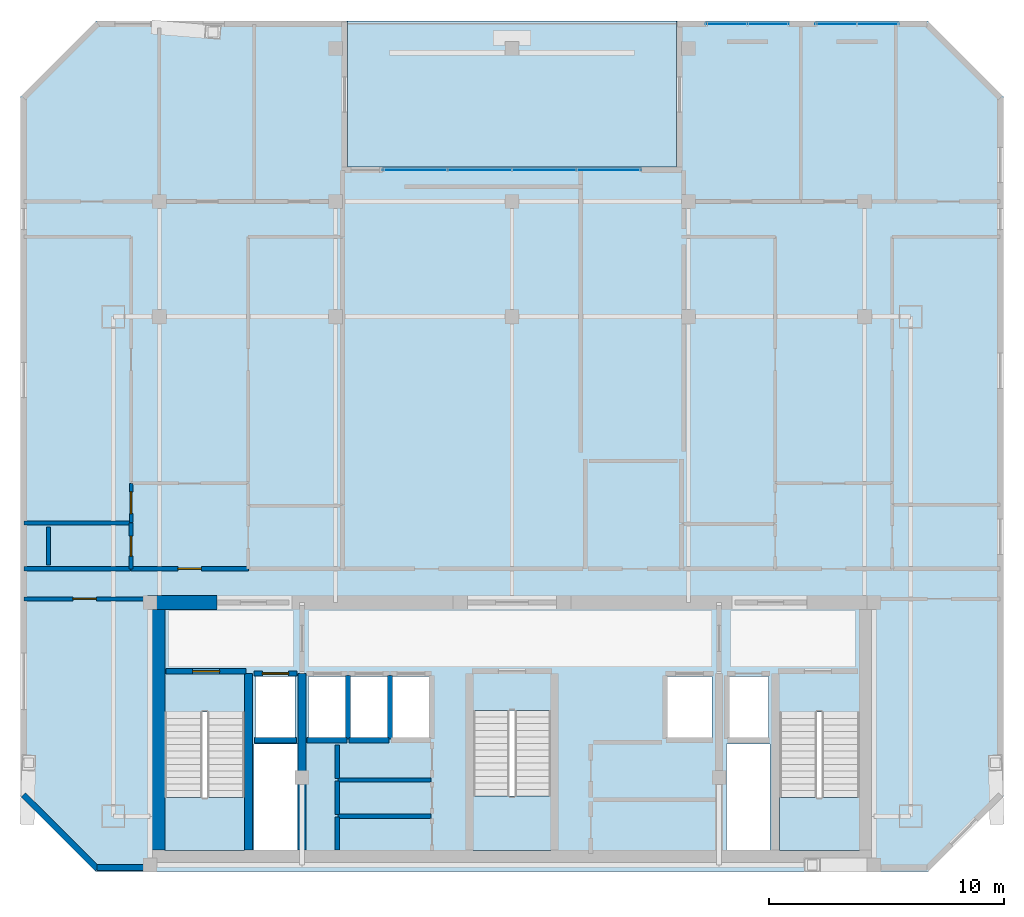
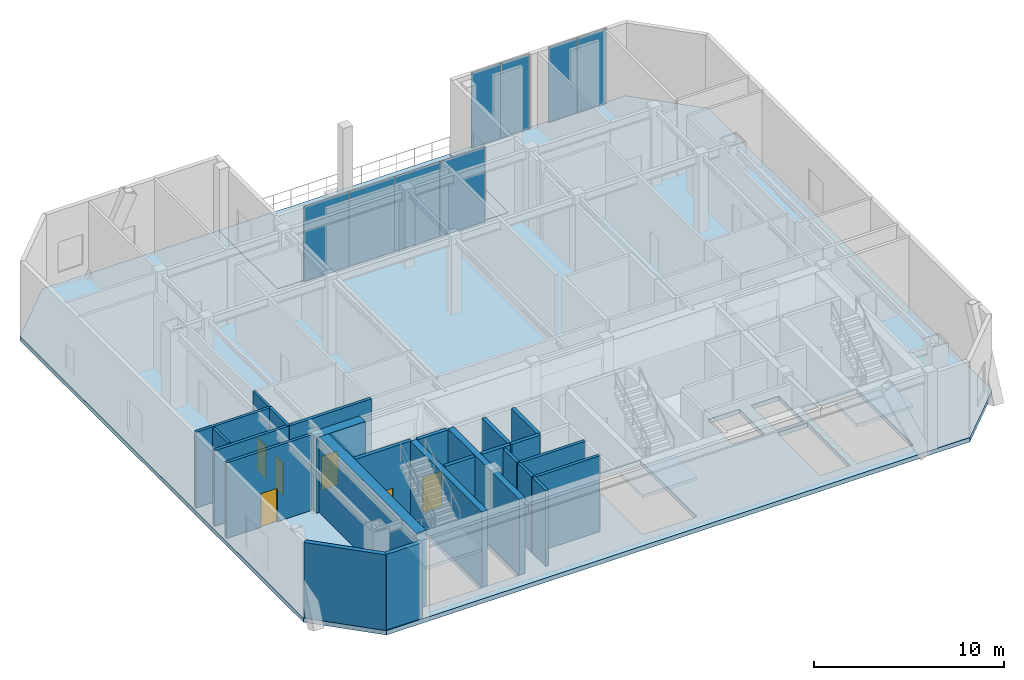
# One storey, part 7 of 12: 25 walls, 8 plates, 6 doors, 5 slabs, 6 openings, 6 elements without a shape of their own.
"""IFC4 building model written with IfcOpenShell, lengths in metres."""

from ifc_helpers import new_model, si_unit, direction, frame, frame_2d, origin, origin_2d, place, context, subcontext, project, spatial, polyline, rectangle, outline, extrude, material, layer, layer_set, type_object, element, fill, aggregate, save


model = new_model("IFC4")

# Units and contexts
model_context = context("Model", 3, precision=1e-05, world=origin(), true_north=direction((0.0, 1.0)))
body_context = subcontext(model_context, "Body", "Model", "MODEL_VIEW")
ifc_project = project(units=[si_unit("LENGTHUNIT", "METRE"), si_unit("AREAUNIT", "SQUARE_METRE"), si_unit("VOLUMEUNIT", "CUBIC_METRE"), si_unit("PLANEANGLEUNIT", "RADIAN"), si_unit("MASSUNIT", "GRAM", prefix="KILO")], contexts=[model_context])

# Site, building, storey
site_placement = place(None, origin())
site = spatial("IfcSite", under=ifc_project, at=site_placement, CompositionType="ELEMENT")
building_placement = place(site_placement, origin())
building = spatial("IfcBuilding", under=site, at=building_placement, Name="Ventersveld Concourse Tower", CompositionType="ELEMENT")
storey_placement = place(building_placement, frame((0.0, 0.0, 251.699951171875)))
storey = spatial("IfcBuildingStorey", under=building, at=storey_placement, Name="L62", CompositionType="ELEMENT", Elevation=251.699951171875)

# Curtain wall, plates
ifc_material_1 = material(Name="Anodised aluminium EN AW-6063-T6", Category="aluminium")
curtain_wall_type_1 = type_object("IfcCurtainWallType", Name="CW-SLOB-3", PredefinedType="NOTDEFINED", material=ifc_material_1)
curtain_wall_1_placement = place(storey_placement, origin())
curtain_wall_1 = element("IfcCurtainWall", 1, at=curtain_wall_1_placement, inside=storey, type_object=curtain_wall_type_1, Name="L62 L62 Sky Lobby East Curtain Wall 1", PredefinedType="NOTDEFINED")
ifc_material_2 = material(Name="Low-E double glazing IGU", Category="glass")
ifc_layer_1 = layer(ifc_material_2, 0.02392578125)
ifc_layer_set_1 = layer_set([ifc_layer_1], Name="Low-E double glazing IGU")
plate_type = type_object("IfcPlateType", Name="CWP-GLZ-24", PredefinedType="CURTAIN_PANEL", material=ifc_layer_set_1)
plate_1_placement = place(storey_placement, frame((37.87939453125, 36.0419921875, 0.02001953125), z_axis=(0.0, 0.0, 1.0), x_axis=(1.0, 0.0, 0.0)))
plate_1 = element("IfcPlate", 2, at=plate_1_placement, type_object=plate_type, Name="CW-L62-SL-E1 Glazed Panel 01-1", PredefinedType="CURTAIN_PANEL", context=body_context, shape_type="SweptSolid", body=[
    extrude(rectangle(XDim=1.7685546875, YDim=0.02392578125, at=origin_2d()), origin(), (0.0, 0.0, 1.0), 4.81005859375),
])
plate_2_placement = place(storey_placement, frame((39.657958984375, 36.0419921875, 0.02001953125), z_axis=(0.0, 0.0, 1.0), x_axis=(1.0, 0.0, 0.0)))
plate_2 = element("IfcPlate", 3, at=plate_2_placement, type_object=plate_type, Name="CW-L62-SL-E1 Glazed Panel 02-1", PredefinedType="CURTAIN_PANEL", context=body_context, shape_type="SweptSolid", body=[
    extrude(rectangle(XDim=1.7685546875, YDim=0.02392578125, at=origin_2d()), origin(), (0.0, 0.0, 1.0), 4.81005859375),
])
aggregate(curtain_wall_1, [plate_1, plate_2])

curtain_wall_2_placement = place(storey_placement, origin())
curtain_wall_2 = element("IfcCurtainWall", 4, at=curtain_wall_2_placement, inside=storey, type_object=curtain_wall_type_1, Name="L62 L62 Sky Lobby East Curtain Wall 2", PredefinedType="NOTDEFINED")
plate_3_placement = place(storey_placement, frame((42.53662109375, 36.0419921875, 0.02001953125), z_axis=(0.0, 0.0, 1.0), x_axis=(1.0, 0.0, 0.0)))
plate_3 = element("IfcPlate", 5, at=plate_3_placement, type_object=plate_type, Name="CW-L62-SL-E2 Glazed Panel 01-1", PredefinedType="CURTAIN_PANEL", context=body_context, shape_type="SweptSolid", body=[
    extrude(rectangle(XDim=1.7685546875, YDim=0.02392578125, at=origin_2d()), origin(), (0.0, 0.0, 1.0), 4.81005859375),
])
plate_4_placement = place(storey_placement, frame((44.315185546875, 36.0419921875, 0.02001953125), z_axis=(0.0, 0.0, 1.0), x_axis=(1.0, 0.0, 0.0)))
plate_4 = element("IfcPlate", 6, at=plate_4_placement, type_object=plate_type, Name="CW-L62-SL-E2 Glazed Panel 02-1", PredefinedType="CURTAIN_PANEL", context=body_context, shape_type="SweptSolid", body=[
    extrude(rectangle(XDim=1.7685546875, YDim=0.02392578125, at=origin_2d()), origin(), (0.0, 0.0, 1.0), 4.81005859375),
])
aggregate(curtain_wall_2, [plate_3, plate_4])

curtain_wall_type_2 = type_object("IfcCurtainWallType", Name="CW-SG-4", PredefinedType="NOTDEFINED", material=ifc_material_1)
curtain_wall_3_placement = place(storey_placement, origin())
curtain_wall_3 = element("IfcCurtainWall", 7, at=curtain_wall_3_placement, inside=storey, type_object=curtain_wall_type_2, Name="L62 L62 Sky Garden Recessed Curtain Wall", PredefinedType="NOTDEFINED")
plate_5_placement = place(storey_placement, frame((24.625, 29.841796875, 0.02001953125), z_axis=(0.0, 0.0, 1.0), x_axis=(1.0, 0.0, 0.0)))
plate_5 = element("IfcPlate", 8, at=plate_5_placement, type_object=plate_type, Name="CW-L62-SG Glazed Panel 01-1", PredefinedType="CURTAIN_PANEL", context=body_context, shape_type="SweptSolid", body=[
    extrude(rectangle(XDim=2.739990234375, YDim=0.02392578125, at=origin_2d()), origin(), (0.0, 0.0, 1.0), 4.81005859375),
])
plate_6_placement = place(storey_placement, frame((27.375, 29.841796875, 0.02001953125), z_axis=(0.0, 0.0, 1.0), x_axis=(1.0, 0.0, 0.0)))
plate_6 = element("IfcPlate", 9, at=plate_6_placement, type_object=plate_type, Name="CW-L62-SG Glazed Panel 02-1", PredefinedType="CURTAIN_PANEL", context=body_context, shape_type="SweptSolid", body=[
    extrude(rectangle(XDim=2.739990234375, YDim=0.02392578125, at=origin_2d()), origin(), (0.0, 0.0, 1.0), 4.81005859375),
])
plate_7_placement = place(storey_placement, frame((30.125, 29.841796875, 0.02001953125), z_axis=(0.0, 0.0, 1.0), x_axis=(1.0, 0.0, 0.0)))
plate_7 = element("IfcPlate", 10, at=plate_7_placement, type_object=plate_type, Name="CW-L62-SG Glazed Panel 03-1", PredefinedType="CURTAIN_PANEL", context=body_context, shape_type="SweptSolid", body=[
    extrude(rectangle(XDim=2.739990234375, YDim=0.02392578125, at=origin_2d()), origin(), (0.0, 0.0, 1.0), 4.81005859375),
])
plate_8_placement = place(storey_placement, frame((32.875, 29.841796875, 0.02001953125), z_axis=(0.0, 0.0, 1.0), x_axis=(1.0, 0.0, 0.0)))
plate_8 = element("IfcPlate", 11, at=plate_8_placement, type_object=plate_type, Name="CW-L62-SG Glazed Panel 04-1", PredefinedType="CURTAIN_PANEL", context=body_context, shape_type="SweptSolid", body=[
    extrude(rectangle(XDim=2.739990234375, YDim=0.02392578125, at=origin_2d()), origin(), (0.0, 0.0, 1.0), 4.81005859375),
])
aggregate(curtain_wall_3, [plate_5, plate_6, plate_7, plate_8])

# Slab
ifc_material_3 = material(Name="Concrete C50/60", Category="concrete")
ifc_layer_2 = layer(ifc_material_3, 0.280029296875)
ifc_layer_set_2 = layer_set([ifc_layer_2], Name="Concrete C50/60")
slab_type_1 = type_object("IfcSlabType", Name="SL-FLR-280", PredefinedType="FLOOR", material=ifc_layer_set_2)
slab_1_placement = place(storey_placement, frame((0.0, 0.0, -0.280029296875)))
element("IfcSlab", 12, at=slab_1_placement, inside=storey, type_object=slab_type_1, Name="L62 Composite Floor Slab", PredefinedType="FLOOR", context=body_context, shape_type="SweptSolid", body=[
    extrude(outline(polyline([(11.055419921875, 0.0), (46.444580078125, 0.0), (49.64453125, 3.199951171875), (49.64453125, 32.971923828125), (46.444580078125, 36.171875), (35.75, 36.171875), (35.75, 29.971923828125), (21.75, 29.971923828125), (21.75, 36.171875), (11.055419921875, 36.171875), (7.85546875, 32.971923828125), (7.85546875, 3.199951171875), (11.055419921875, 0.0)]), holes=[polyline([(13.97998046875, 6.794921875), (13.97998046875, 0.89990234375), (17.3798828125, 0.89990234375), (17.3798828125, 6.794921875), (13.97998046875, 6.794921875)]), polyline([(40.1201171875, 6.794921875), (40.1201171875, 0.89990234375), (43.52001953125, 0.89990234375), (43.52001953125, 6.794921875), (40.1201171875, 6.794921875)]), polyline([(27.10009765625, 6.844970703125), (27.10009765625, 0.89990234375), (30.39990234375, 0.89990234375), (30.39990234375, 6.844970703125), (27.10009765625, 6.844970703125)]), polyline([(17.85009765625, 5.699951171875), (19.530029296875, 5.699951171875), (19.530029296875, 8.300048828125), (17.85009765625, 8.300048828125), (17.85009765625, 5.699951171875)]), polyline([(37.969970703125, 5.699951171875), (39.64990234375, 5.699951171875), (39.64990234375, 8.300048828125), (37.969970703125, 8.300048828125), (37.969970703125, 5.699951171875)]), polyline([(35.35009765625, 5.699951171875), (37.25, 5.699951171875), (37.25, 8.300048828125), (35.35009765625, 8.300048828125), (35.35009765625, 5.699951171875)]), polyline([(20.090087890625, 5.699951171875), (21.68994140625, 5.699951171875), (21.68994140625, 8.300048828125), (20.090087890625, 8.300048828125), (20.090087890625, 5.699951171875)]), polyline([(21.8701171875, 5.699951171875), (23.469970703125, 5.699951171875), (23.469970703125, 8.300048828125), (21.8701171875, 8.300048828125), (21.8701171875, 5.699951171875)]), polyline([(23.64990234375, 5.699951171875), (25.25, 5.699951171875), (25.25, 8.300048828125), (23.64990234375, 8.300048828125), (23.64990234375, 5.699951171875)]), polyline([(17.780029296875, 0.919921875), (19.6201171875, 0.919921875), (19.6201171875, 5.419921875), (17.780029296875, 5.419921875), (17.780029296875, 0.919921875)]), polyline([(37.8798828125, 0.919921875), (39.719970703125, 0.919921875), (39.719970703125, 5.419921875), (37.8798828125, 5.419921875), (37.8798828125, 0.919921875)])]), origin(), (0.0, 0.0, 1.0), 0.280029296875),
])

# Stair, slab
stair_type_1 = type_object("IfcStairType", Name="ST-DOG-160", PredefinedType="HALF_TURN_STAIR", material=ifc_material_3)
stair_1_placement = place(storey_placement, origin())
stair_1 = element("IfcStair", 13, at=stair_1_placement, inside=storey, type_object=stair_type_1, Name="L62 Protected Tower Escape Stair ST-01", PredefinedType="HALF_TURN_STAIR")
ifc_layer_3 = layer(ifc_material_3, 0.199951171875)
ifc_layer_set_3 = layer_set([ifc_layer_3], Name="Concrete C50/60")
slab_type_2 = type_object("IfcSlabType", Name="SL-LND-200", PredefinedType="LANDING", material=ifc_layer_set_3)
slab_2_placement = place(storey_placement, frame((0.0, 0.0, 2.324951171875)))
slab_2 = element("IfcSlab", 14, at=slab_2_placement, type_object=slab_type_2, Name="ST-01 landing 1", PredefinedType="LANDING", context=body_context, shape_type="SweptSolid", body=[
    extrude(outline(polyline([(13.97998046875, 3.159912109375), (13.97998046875, 0.89990234375), (17.3798828125, 0.89990234375), (17.3798828125, 3.159912109375), (13.97998046875, 3.159912109375)])), origin(), (0.0, 0.0, 1.0), 0.2001953125),
])
aggregate(stair_1, [slab_2])

stair_2_placement = place(storey_placement, origin())
stair_2 = element("IfcStair", 15, at=stair_2_placement, inside=storey, type_object=stair_type_1, Name="L62 Protected Tower Escape Stair ST-02", PredefinedType="HALF_TURN_STAIR")
slab_3_placement = place(storey_placement, frame((0.0, 0.0, 2.324951171875)))
slab_3 = element("IfcSlab", 16, at=slab_3_placement, type_object=slab_type_2, Name="ST-02 landing 1", PredefinedType="LANDING", context=body_context, shape_type="SweptSolid", body=[
    extrude(outline(polyline([(40.1201171875, 3.159912109375), (40.1201171875, 0.89990234375), (43.52001953125, 0.89990234375), (43.52001953125, 3.159912109375), (40.1201171875, 3.159912109375)])), origin(), (0.0, 0.0, 1.0), 0.2001953125),
])
aggregate(stair_2, [slab_3])

stair_type_2 = type_object("IfcStairType", Name="ST-DOG-155", PredefinedType="HALF_TURN_STAIR", material=ifc_material_3)
stair_3_placement = place(storey_placement, origin())
stair_3 = element("IfcStair", 17, at=stair_3_placement, inside=storey, type_object=stair_type_2, Name="L62 Protected Central Core Escape Stair ST-03", PredefinedType="HALF_TURN_STAIR")
slab_4_placement = place(storey_placement, frame((0.0, 0.0, 2.324951171875)))
slab_4 = element("IfcSlab", 18, at=slab_4_placement, type_object=slab_type_2, Name="ST-03 landing 1", PredefinedType="LANDING", context=body_context, shape_type="SweptSolid", body=[
    extrude(outline(polyline([(27.10009765625, 3.2099609375), (27.10009765625, 0.89990234375), (30.39990234375, 0.89990234375), (30.39990234375, 3.2099609375), (27.10009765625, 3.2099609375)])), origin(), (0.0, 0.0, 1.0), 0.2001953125),
])
aggregate(stair_3, [slab_4])

# Slab
ifc_layer_4 = layer(ifc_material_3, 0.25)
ifc_layer_set_4 = layer_set([ifc_layer_4], Name="Concrete C50/60")
slab_type_3 = type_object("IfcSlabType", Name="SL-ROOF-250", PredefinedType="ROOF", material=ifc_layer_set_4)
slab_5_placement = place(storey_placement, frame((0.0, 0.0, -0.25)))
element("IfcSlab", 19, at=slab_5_placement, inside=storey, type_object=slab_type_3, Name="L62 Outdoor Terrace Slab SKYGARDEN", PredefinedType="ROOF", context=body_context, shape_type="SweptSolid", body=[
    extrude(outline(polyline([(21.75, 29.971923828125), (35.75, 29.971923828125), (35.75, 36.171875), (21.75, 36.171875), (21.75, 29.971923828125)])), origin(), (0.0, 0.0, 1.0), 0.25),
])

# Walls
ifc_layer_5 = layer(ifc_material_3, 0.35009765625)
ifc_layer_set_5 = layer_set([ifc_layer_5], Name="Concrete C50/60")
wall_type_1 = type_object("IfcWallType", Name="WL-CORE-350U", PredefinedType="SHEAR", material=ifc_layer_set_5)
for number, where, z_axis, x_axis, name in (
    (20, (17.5400390625, 0.919921875, 0.0), (0.0, 0.0, 1.0), (0.0, 1.0, 0.0), "L62 Core Internal Shear Web W-ST1-E"),
    (21, (19.820068359375, 0.919921875, 0.0), (0.0, 0.0, 1.0), (0.0, 1.0, 0.0), "L62 Core Internal Shear Web W-FF1-E"),
):
    element("IfcWall", number, at=place(storey_placement, frame(where, z_axis=z_axis, x_axis=x_axis)), inside=storey, type_object=wall_type_1, Name=name, PredefinedType="SHEAR", context=body_context, shape_type="SweptSolid", body=[
        extrude(rectangle(XDim=7.5, YDim=0.35009765625, at=frame_2d((3.75, 0.0))), origin(), (0.0, 0.0, 1.0), 4.85009765625),
    ])
ifc_layer_6 = layer(ifc_material_3, 0.60009765625)
ifc_layer_set_6 = layer_set([ifc_layer_6], Name="Concrete C50/60")
wall_type_2 = type_object("IfcWallType", Name="WL-CORE-600", PredefinedType="SHEAR", material=ifc_layer_set_6)
wall_1_placement = place(storey_placement, frame((13.699951171875, 0.919921875, 0.0), z_axis=(0.0, 0.0, 1.0), x_axis=(0.0, 1.0, 0.0)))
element("IfcWall", 22, at=wall_1_placement, inside=storey, type_object=wall_type_2, Name="L62 Rear Core West Shear Wall", PredefinedType="SHEAR", context=body_context, shape_type="SweptSolid", body=[
    extrude(rectangle(XDim=10.530029296875, YDim=0.60009765625, at=frame_2d((5.26513671875, 0.0))), origin(), (0.0, 0.0, 1.0), 4.85009765625),
])
wall_2_placement = place(storey_placement, frame((13.25, 11.449951171875, 0.0), z_axis=(0.0, 0.0, 1.0), x_axis=(1.0, 0.0, 0.0)))
element("IfcWall", 23, at=wall_2_placement, inside=storey, type_object=wall_type_2, Name="L62 Rear Core North Shear Wall NW", PredefinedType="SHEAR", context=body_context, shape_type="SweptSolid", body=[
    extrude(rectangle(XDim=2.949951171875, YDim=0.60009765625, at=frame_2d((1.47509765625, 0.0))), origin(), (0.0, 0.0, 1.0), 4.85009765625),
])
ifc_material_4 = material(Name="Fire-rated autoclaved aerated masonry blockwork", Category="masonry")
ifc_layer_7 = layer(ifc_material_4, 0.179931640625)
ifc_layer_set_7 = layer_set([ifc_layer_7], Name="Fire-rated autoclaved aerated masonry blockwork")
wall_type_3 = type_object("IfcWallType", Name="WL-CORR-180", PredefinedType="PARTITIONING", material=ifc_layer_set_7)
wall_3_placement = place(storey_placement, frame((21.360107421875, 2.360107421875, 0.0), z_axis=(0.0, 0.0, 1.0), x_axis=(1.0, 0.0, 0.0)))
element("IfcWall", 24, at=wall_3_placement, inside=storey, type_object=wall_type_3, Name="L62 Core Top Wall SP-L62-RECB1S", PredefinedType="PARTITIONING", context=body_context, shape_type="SweptSolid", body=[
    extrude(rectangle(XDim=3.93994140625, YDim=0.179931640625, at=frame_2d((1.969970703125, 0.0))), origin(), (0.0, 0.0, 1.0), 4.85009765625),
])
wall_4_placement = place(storey_placement, frame((21.320068359375, 0.909912109375, 0.0), z_axis=(0.0, 0.0, 1.0), x_axis=(0.0, 1.0, 0.0)))
element("IfcWall", 25, at=wall_4_placement, inside=storey, type_object=wall_type_3, Name="L62 Core West Wall SP-L62-RECB1S", PredefinedType="PARTITIONING", context=body_context, shape_type="SweptSolid", body=[
    extrude(rectangle(XDim=1.41015625, YDim=0.179931640625, at=frame_2d((0.705078125, 0.0))), origin(), (0.0, 0.0, 1.0), 4.85009765625),
])
wall_5_placement = place(storey_placement, frame((21.360107421875, 3.89990234375, 0.0), z_axis=(0.0, 0.0, 1.0), x_axis=(1.0, 0.0, 0.0)))
element("IfcWall", 26, at=wall_5_placement, inside=storey, type_object=wall_type_3, Name="L62 Core Top Wall SP-L62-RECB1M", PredefinedType="PARTITIONING", context=body_context, shape_type="SweptSolid", body=[
    extrude(rectangle(XDim=3.93994140625, YDim=0.179931640625, at=frame_2d((1.969970703125, 0.0))), origin(), (0.0, 0.0, 1.0), 4.85009765625),
])
wall_6_placement = place(storey_placement, frame((21.320068359375, 2.419921875, 0.0), z_axis=(0.0, 0.0, 1.0), x_axis=(0.0, 1.0, 0.0)))
element("IfcWall", 27, at=wall_6_placement, inside=storey, type_object=wall_type_3, Name="L62 Core West Wall SP-L62-RECB1M", PredefinedType="PARTITIONING", context=body_context, shape_type="SweptSolid", body=[
    extrude(rectangle(XDim=1.440185546875, YDim=0.179931640625, at=frame_2d((0.72021484375, 0.0))), origin(), (0.0, 0.0, 1.0), 4.85009765625),
])
wall_7_placement = place(storey_placement, frame((21.320068359375, 3.9599609375, 0.0), z_axis=(0.0, 0.0, 1.0), x_axis=(0.0, 1.0, 0.0)))
element("IfcWall", 28, at=wall_7_placement, inside=storey, type_object=wall_type_3, Name="L62 Core West Wall SP-L62-RECB1N", PredefinedType="PARTITIONING", context=body_context, shape_type="SweptSolid", body=[
    extrude(rectangle(XDim=1.419921875, YDim=0.179931640625, at=frame_2d((0.7099609375, 0.0))), origin(), (0.0, 0.0, 1.0), 4.85009765625),
])

# Wall, opening, door
wall_8_placement = place(storey_placement, frame((8.0048828125, 11.60009765625, 0.0), z_axis=(0.0, 0.0, 1.0), x_axis=(1.0, 0.0, 0.0)))
wall_8 = element("IfcWall", 29, at=wall_8_placement, inside=storey, type_object=wall_type_3, Name="L62 Interior Partition SP-L62-SW-GAL-SP-L62-COR", PredefinedType="PARTITIONING", context=body_context, shape_type="SweptSolid", body=[
    extrude(rectangle(XDim=5.14013671875, YDim=0.179931640625, at=frame_2d((2.570068359375, 0.0))), origin(), (0.0, 0.0, 1.0), 4.85009765625),
])
opening_1_placement = place(wall_8_placement, frame((2.070068359375, 0.0, 0.0)))
opening_1 = element("IfcOpeningElement", 30, at=opening_1_placement, cuts=wall_8, Name="Opening FD3", PredefinedType="OPENING", context=body_context, shape_type="SweptSolid", body=[
    extrude(rectangle(XDim=1.0, YDim=2.14990234375, at=frame_2d((0.5, 1.074951171875))), frame((0.0, 0.10009765625, 0.0), z_axis=(0.0, -1.0, 0.0), x_axis=(1.0, 0.0, 0.0)), (0.0, 0.0, 1.0), 0.199951171875),
])
ifc_material_5 = material(Name="Solid-core hardwood veneer timber", Category="wood")
door_type_1 = type_object("IfcDoorType", Name="DR-FLAT-100", OperationType="NOTDEFINED", PredefinedType="DOOR", material=ifc_material_5)
door_1_placement = place(opening_1_placement, origin())
door_1 = element("IfcDoor", 31, at=door_1_placement, inside=storey, type_object=door_type_1, Name="L62 Interior Door SP-L62-SW-GAL to SP-L62-COR (D-L62-2946)", OperationType="SINGLE_SWING_RIGHT", OverallHeight=2.14990234375, OverallWidth=1.0, PredefinedType="DOOR", context=body_context, shape_type="SweptSolid", body=[
    extrude(rectangle(XDim=1.0, YDim=2.14990234375, at=frame_2d((0.5, 1.074951171875))), frame((0.0, 0.02490234375, 0.0), z_axis=(0.0, -1.0, 0.0), x_axis=(1.0, 0.0, 0.0)), (0.0, 0.0, 1.0), 0.050048828125),
])
fill(opening_1, door_1)

wall_9_placement = place(storey_placement, frame((12.544921875, 12.8798828125, 0.0), z_axis=(0.0, 0.0, 1.0), x_axis=(1.0, 0.0, 0.0)))
wall_9 = element("IfcWall", 32, at=wall_9_placement, inside=storey, type_object=wall_type_3, Name="L62 Interior Partition SP-L62-COR-SP-L62-62CW-FOY", PredefinedType="PARTITIONING", context=body_context, shape_type="SweptSolid", body=[
    extrude(rectangle(XDim=4.989990234375, YDim=0.179931640625, at=frame_2d((2.4951171875, 0.0))), origin(), (0.0, 0.0, 1.0), 4.85009765625),
])
opening_2_placement = place(wall_9_placement, frame((1.9951171875, 0.0, 0.0)))
opening_2 = element("IfcOpeningElement", 33, at=opening_2_placement, cuts=wall_9, Name="Opening FD3", PredefinedType="OPENING", context=body_context, shape_type="SweptSolid", body=[
    extrude(rectangle(XDim=1.0, YDim=2.14990234375, at=frame_2d((0.5, 1.074951171875))), frame((0.0, 0.10009765625, 0.0), z_axis=(0.0, -1.0, 0.0), x_axis=(1.0, 0.0, 0.0)), (0.0, 0.0, 1.0), 0.199951171875),
])
door_2_placement = place(opening_2_placement, origin())
door_2 = element("IfcDoor", 34, at=door_2_placement, inside=storey, type_object=door_type_1, Name="L62 Interior Door SP-L62-COR to SP-L62-62CW-FOY (FD-L62-2950)", OperationType="SINGLE_SWING_RIGHT", OverallHeight=2.14990234375, OverallWidth=1.0, PredefinedType="DOOR", context=body_context, shape_type="SweptSolid", body=[
    extrude(rectangle(XDim=1.0, YDim=2.14990234375, at=frame_2d((0.5, 1.074951171875))), frame((0.0, 0.02490234375, 0.0), z_axis=(0.0, -1.0, 0.0), x_axis=(1.0, 0.0, 0.0)), (0.0, 0.0, 1.0), 0.050048828125),
])
fill(opening_2, door_2)

# Walls
wall_10_placement = place(storey_placement, frame((8.0048828125, 12.8798828125, 0.0), z_axis=(0.0, 0.0, 1.0), x_axis=(1.0, 0.0, 0.0)))
element("IfcWall", 35, at=wall_10_placement, inside=storey, type_object=wall_type_3, Name="L62 Interior Partition SP-L62-COR-SP-L62-62CW-BATH", PredefinedType="PARTITIONING", context=body_context, shape_type="SweptSolid", body=[
    extrude(rectangle(XDim=4.510009765625, YDim=0.179931640625, at=frame_2d((2.2548828125, 0.0))), origin(), (0.0, 0.0, 1.0), 4.85009765625),
])
ifc_layer_8 = layer(ifc_material_4, 0.219970703125)
ifc_layer_set_8 = layer_set([ifc_layer_8], Name="Fire-rated autoclaved aerated masonry blockwork")
wall_type_4 = type_object("IfcWallType", Name="WL-HOIST-220", PredefinedType="SOLIDWALL", material=ifc_layer_set_8)
wall_11_placement = place(storey_placement, frame((17.800048828125, 5.590087890625, 0.0), z_axis=(0.0, 0.0, 1.0), x_axis=(1.0, 0.0, 0.0)))
element("IfcWall", 36, at=wall_11_placement, inside=storey, type_object=wall_type_4, Name="L62 Lift Hoistway Back Wall FFL-01", PredefinedType="SOLIDWALL", context=body_context, shape_type="SweptSolid", body=[
    extrude(rectangle(XDim=1.780029296875, YDim=0.219970703125, at=frame_2d((0.89013671875, 0.0))), origin(), (0.0, 0.0, 1.0), 4.85009765625),
])

# Wall, opening, door
wall_12_placement = place(storey_placement, frame((17.780029296875, 8.429931640625, 0.0), z_axis=(0.0, 0.0, 1.0), x_axis=(1.0, 0.0, 0.0)))
wall_12 = element("IfcWall", 37, at=wall_12_placement, inside=storey, type_object=wall_type_4, Name="L62 Lift Hoistway Front Wall FFL-01", PredefinedType="SOLIDWALL", context=body_context, shape_type="SweptSolid", body=[
    extrude(rectangle(XDim=1.820068359375, YDim=0.219970703125, at=frame_2d((0.91015625, 0.0))), origin(), (0.0, 0.0, 1.0), 4.85009765625),
])
opening_3_placement = place(wall_12_placement, frame((0.35009765625, 0.0, 0.0)))
opening_3 = element("IfcOpeningElement", 38, at=opening_3_placement, cuts=wall_12, Name="Opening LD1", PredefinedType="OPENING", context=body_context, shape_type="SweptSolid", body=[
    extrude(rectangle(XDim=1.1201171875, YDim=2.25, at=frame_2d((0.56005859375, 1.125))), frame((0.0, 0.1201171875, 0.0), z_axis=(0.0, -1.0, 0.0), x_axis=(1.0, 0.0, 0.0)), (0.0, 0.0, 1.0), 0.239990234375),
])
ifc_material_6 = material(Name="Brushed stainless steel 316", Category="steel")
door_type_2 = type_object("IfcDoorType", Name="LD-FF-112", OperationType="SLIDING_TO_LEFT", PredefinedType="DOOR", material=ifc_material_6)
door_3_placement = place(opening_3_placement, origin())
door_3 = element("IfcDoor", 39, at=door_3_placement, inside=storey, type_object=door_type_2, Name="L62 Lift landing door FFL-01 (LD-L62-FFL-01)", OperationType="SLIDING_TO_RIGHT", OverallHeight=2.25, OverallWidth=1.1201171875, PredefinedType="DOOR", context=body_context, shape_type="SweptSolid", body=[
    extrude(rectangle(XDim=1.1201171875, YDim=2.25, at=frame_2d((0.56005859375, 1.125))), frame((0.0, 0.02490234375, 0.0), z_axis=(0.0, -1.0, 0.0), x_axis=(1.0, 0.0, 0.0)), (0.0, 0.0, 1.0), 0.050048828125),
])
fill(opening_3, door_3)

# Walls
wall_13_placement = place(storey_placement, frame((20.0400390625, 5.590087890625, 0.0), z_axis=(0.0, 0.0, 1.0), x_axis=(1.0, 0.0, 0.0)))
element("IfcWall", 40, at=wall_13_placement, inside=storey, type_object=wall_type_4, Name="L62 Lift Hoistway Back Wall PH-01", PredefinedType="SOLIDWALL", context=body_context, shape_type="SweptSolid", body=[
    extrude(rectangle(XDim=1.699951171875, YDim=0.219970703125, at=frame_2d((0.85009765625, 0.0))), origin(), (0.0, 0.0, 1.0), 4.85009765625),
])
wall_14_placement = place(storey_placement, frame((21.780029296875, 5.64990234375, 0.0), z_axis=(0.0, 0.0, 1.0), x_axis=(0.0, 1.0, 0.0)))
element("IfcWall", 41, at=wall_14_placement, inside=storey, type_object=wall_type_4, Name="L62 Lift Hoistway Side Wall PH-01E", PredefinedType="SOLIDWALL", context=body_context, shape_type="SweptSolid", body=[
    extrude(rectangle(XDim=2.7001953125, YDim=0.219970703125, at=frame_2d((1.35009765625, 0.0))), origin(), (0.0, 0.0, 1.0), 4.85009765625),
])
wall_15_placement = place(storey_placement, frame((21.820068359375, 5.590087890625, 0.0), z_axis=(0.0, 0.0, 1.0), x_axis=(1.0, 0.0, 0.0)))
element("IfcWall", 42, at=wall_15_placement, inside=storey, type_object=wall_type_4, Name="L62 Lift Hoistway Back Wall PH-02", PredefinedType="SOLIDWALL", context=body_context, shape_type="SweptSolid", body=[
    extrude(rectangle(XDim=1.699951171875, YDim=0.219970703125, at=frame_2d((0.85009765625, 0.0))), origin(), (0.0, 0.0, 1.0), 4.85009765625),
])
wall_16_placement = place(storey_placement, frame((23.56005859375, 5.64990234375, 0.0), z_axis=(0.0, 0.0, 1.0), x_axis=(0.0, 1.0, 0.0)))
element("IfcWall", 43, at=wall_16_placement, inside=storey, type_object=wall_type_4, Name="L62 Lift Hoistway Side Wall PH-02E", PredefinedType="SOLIDWALL", context=body_context, shape_type="SweptSolid", body=[
    extrude(rectangle(XDim=2.7001953125, YDim=0.219970703125, at=frame_2d((1.35009765625, 0.0))), origin(), (0.0, 0.0, 1.0), 4.85009765625),
])

# Wall, opening, door
wall_17_placement = place(storey_placement, frame((14.0400390625, 8.52001953125, 0.0), z_axis=(0.0, 0.0, 1.0), x_axis=(1.0, 0.0, 0.0)))
wall_17 = element("IfcWall", 44, at=wall_17_placement, inside=storey, type_object=wall_type_4, Name="L62 Escape Stair ST01 Fire Wall", PredefinedType="SOLIDWALL", context=body_context, shape_type="SweptSolid", body=[
    extrude(rectangle(XDim=3.39990234375, YDim=0.219970703125, at=frame_2d((1.699951171875, 0.0))), origin(), (0.0, 0.0, 1.0), 4.85009765625),
])
opening_4_placement = place(wall_17_placement, frame((1.125, 0.0, 0.0)))
opening_4 = element("IfcOpeningElement", 45, at=opening_4_placement, cuts=wall_17, Name="Opening FD1", PredefinedType="OPENING", context=body_context, shape_type="SweptSolid", body=[
    extrude(rectangle(XDim=1.14990234375, YDim=2.199951171875, at=frame_2d((0.574951171875, 1.10009765625))), frame((0.0, 0.1201171875, 0.0), z_axis=(0.0, -1.0, 0.0), x_axis=(1.0, 0.0, 0.0)), (0.0, 0.0, 1.0), 0.239990234375),
])
ifc_material_7 = material(Name="Galvanised painted steel", Category="steel")
door_type_3 = type_object("IfcDoorType", Name="DR-STAIR-115", OperationType="NOTDEFINED", PredefinedType="DOOR", material=ifc_material_7)
door_4_placement = place(opening_4_placement, origin())
door_4 = element("IfcDoor", 46, at=door_4_placement, inside=storey, type_object=door_type_3, Name="L62 Escape Stair Door ST01 (SD-L62-2933)", OperationType="SINGLE_SWING_LEFT", OverallHeight=2.199951171875, OverallWidth=1.14990234375, PredefinedType="DOOR", context=body_context, shape_type="SweptSolid", body=[
    extrude(rectangle(XDim=1.14990234375, YDim=2.199951171875, at=frame_2d((0.574951171875, 1.10009765625))), frame((0.0, 0.02490234375, 0.0), z_axis=(0.0, -1.0, 0.0), x_axis=(1.0, 0.0, 0.0)), (0.0, 0.0, 1.0), 0.050048828125),
])
fill(opening_4, door_4)

ifc_material_8 = material(Name="Autoclaved aerated masonry blockwork", Category="masonry")
ifc_layer_9 = layer(ifc_material_8, 0.14990234375)
ifc_layer_set_9 = layer_set([ifc_layer_9], Name="Autoclaved aerated masonry blockwork")
wall_type_5 = type_object("IfcWallType", Name="WL-INT-150", PredefinedType="PARTITIONING", material=ifc_layer_set_9)
wall_18_placement = place(storey_placement, frame((12.5498046875, 14.857177734375, 0.0), z_axis=(0.0, 0.0, 1.0), x_axis=(0.0, 1.0, 0.0)))
wall_18 = element("IfcWall", 47, at=wall_18_placement, inside=storey, type_object=wall_type_5, Name="L62 Interior Partition SP-L62-62CW-FOY-SP-L62-62CW-OFFL0", PredefinedType="PARTITIONING", context=body_context, shape_type="SweptSolid", body=[
    extrude(rectangle(XDim=1.65771484375, YDim=0.14990234375, at=frame_2d((0.828857421875, 0.0))), origin(), (0.0, 0.0, 1.0), 4.85009765625),
])
opening_5_placement = place(wall_18_placement, frame((0.368896484375, 0.0, 0.0)))
opening_5 = element("IfcOpeningElement", 48, at=opening_5_placement, cuts=wall_18, Name="Opening ID1", PredefinedType="OPENING", context=body_context, shape_type="SweptSolid", body=[
    extrude(rectangle(XDim=0.919921875, YDim=2.10009765625, at=frame_2d((0.4599609375, 1.050048828125))), frame((0.0, 0.0849609375, 0.0), z_axis=(0.0, -1.0, 0.0), x_axis=(1.0, 0.0, 0.0)), (0.0, 0.0, 1.0), 0.169921875),
])
door_type_4 = type_object("IfcDoorType", Name="DR-ROOM-092", OperationType="NOTDEFINED", PredefinedType="DOOR", material=ifc_material_5)
door_5_placement = place(opening_5_placement, origin())
door_5 = element("IfcDoor", 49, at=door_5_placement, inside=storey, type_object=door_type_4, Name="L62 Interior Door SP-L62-62CW-FOY to SP-L62-62CW-OFFL0 (D-L62-2954)", OperationType="SINGLE_SWING_RIGHT", OverallHeight=2.10009765625, OverallWidth=0.919921875, PredefinedType="DOOR", context=body_context, shape_type="SweptSolid", body=[
    extrude(rectangle(XDim=0.919921875, YDim=2.10009765625, at=frame_2d((0.4599609375, 1.050048828125))), frame((0.0, 0.02490234375, 0.0), z_axis=(0.0, -1.0, 0.0), x_axis=(1.0, 0.0, 0.0)), (0.0, 0.0, 1.0), 0.050048828125),
])
fill(opening_5, door_5)

# Walls
ifc_material_9 = material(Name="Precast concrete C45/55", Category="concrete")
ifc_layer_10 = layer(ifc_material_9, 0.260009765625)
ifc_layer_set_10 = layer_set([ifc_layer_10], Name="Precast concrete C45/55")
wall_type_6 = type_object("IfcWallType", Name="WL-PREC-260", PredefinedType="SOLIDWALL", material=ifc_layer_set_10)
wall_19_placement = place(storey_placement, frame((11.095458984375, 0.179931640625, 0.0), z_axis=(0.0, 0.0, 1.0), x_axis=(1.0, 0.0, 0.0)))
element("IfcWall", 50, at=wall_19_placement, inside=storey, type_object=wall_type_6, Name="L62 South-West Flank Precast Wall", PredefinedType="SOLIDWALL", context=body_context, shape_type="SweptSolid", body=[
    extrude(rectangle(XDim=2.154541015625, YDim=0.260009765625, at=frame_2d((1.0771484375, 0.0))), origin(), (0.0, 0.0, 1.0), 4.85009765625),
])
wall_20_placement = place(storey_placement, frame((7.9755859375, 3.263671875, 0.0), z_axis=(0.0, 0.0, 1.0), x_axis=(0.707106781187, -0.707106781187, 0.0)))
element("IfcWall", 51, at=wall_20_placement, inside=storey, type_object=wall_type_6, Name="L62 Highveld Precast Facade Wall E12", PredefinedType="SOLIDWALL", context=body_context, shape_type="SweptSolid", body=[
    extrude(rectangle(XDim=4.445556640625, YDim=0.260009765625, at=frame_2d((2.22265625, 0.0))), origin(), (0.0, 0.0, 1.0), 4.85009765625),
])

# Wall, opening, door
ifc_layer_11 = layer(ifc_material_8, 0.1650390625)
ifc_layer_set_11 = layer_set([ifc_layer_11], Name="Autoclaved aerated masonry blockwork")
wall_type_7 = type_object("IfcWallType", Name="WL-WET-165", PredefinedType="PLUMBINGWALL", material=ifc_layer_set_11)
wall_21_placement = place(storey_placement, frame((12.5498046875, 12.864990234375, 0.0), z_axis=(0.0, 0.0, 1.0), x_axis=(0.0, 1.0, 0.0)))
wall_21 = element("IfcWall", 52, at=wall_21_placement, inside=storey, type_object=wall_type_7, Name="L62 Interior Partition SP-L62-62CW-FOY-SP-L62-62CW-BATH", PredefinedType="PLUMBINGWALL", context=body_context, shape_type="SweptSolid", body=[
    extrude(rectangle(XDim=1.962158203125, YDim=0.1650390625, at=frame_2d((0.98095703125, 0.0))), origin(), (0.0, 0.0, 1.0), 4.85009765625),
])
opening_6_placement = place(wall_21_placement, frame((0.555908203125, 0.0, 0.0)))
opening_6 = element("IfcOpeningElement", 53, at=opening_6_placement, cuts=wall_21, Name="Opening ID2", PredefinedType="OPENING", context=body_context, shape_type="SweptSolid", body=[
    extrude(rectangle(XDim=0.85009765625, YDim=2.10009765625, at=frame_2d((0.425048828125, 1.050048828125))), frame((0.0, 0.092529296875, 0.0), z_axis=(0.0, -1.0, 0.0), x_axis=(1.0, 0.0, 0.0)), (0.0, 0.0, 1.0), 0.18505859375),
])
door_type_5 = type_object("IfcDoorType", Name="DR-BATH-085", OperationType="NOTDEFINED", PredefinedType="DOOR", material=ifc_material_5)
door_6_placement = place(opening_6_placement, origin())
door_6 = element("IfcDoor", 54, at=door_6_placement, inside=storey, type_object=door_type_5, Name="L62 Interior Door SP-L62-62CW-FOY to SP-L62-62CW-BATH (D-L62-2953)", OperationType="SINGLE_SWING_LEFT", OverallHeight=2.10009765625, OverallWidth=0.85009765625, PredefinedType="DOOR", context=body_context, shape_type="SweptSolid", body=[
    extrude(rectangle(XDim=0.85009765625, YDim=2.10009765625, at=frame_2d((0.425048828125, 1.050048828125))), frame((0.0, 0.02490234375, 0.0), z_axis=(0.0, -1.0, 0.0), x_axis=(1.0, 0.0, 0.0)), (0.0, 0.0, 1.0), 0.050048828125),
])
fill(opening_6, door_6)

# Walls
wall_22_placement = place(storey_placement, frame((8.0048828125, 14.822021484375, 0.0), z_axis=(0.0, 0.0, 1.0), x_axis=(1.0, 0.0, 0.0)))
element("IfcWall", 55, at=wall_22_placement, inside=storey, type_object=wall_type_7, Name="L62 Interior Partition SP-L62-62CW-BATH-SP-L62-62CW-OFFL0", PredefinedType="PLUMBINGWALL", context=body_context, shape_type="SweptSolid", body=[
    extrude(rectangle(XDim=4.550048828125, YDim=0.1650390625, at=frame_2d((2.27490234375, 0.0))), origin(), (0.0, 0.0, 1.0), 4.85009765625),
])
wall_23_placement = place(storey_placement, frame((9.0400390625, 13.044921875, 0.0), z_axis=(0.0, 0.0, 1.0), x_axis=(0.0, 1.0, 0.0)))
element("IfcWall", 56, at=wall_23_placement, inside=storey, type_object=wall_type_7, Name="L62 Room Enclosure Wall SP-L62-62CW-BATH", PredefinedType="PLUMBINGWALL", context=body_context, shape_type="SweptSolid", body=[
    extrude(rectangle(XDim=1.612060546875, YDim=0.1650390625, at=frame_2d((0.80615234375, 0.0))), origin(), (0.0, 0.0, 1.0), 4.85009765625),
])

save(model, "model.ifc")
